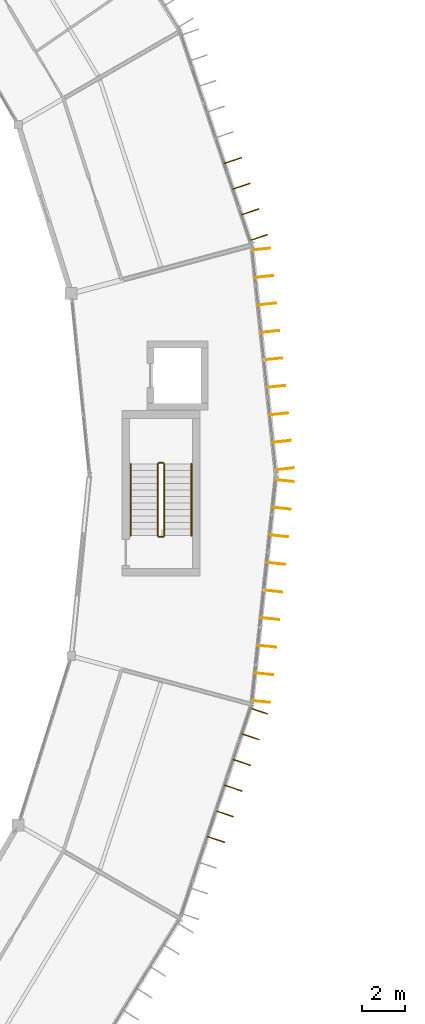
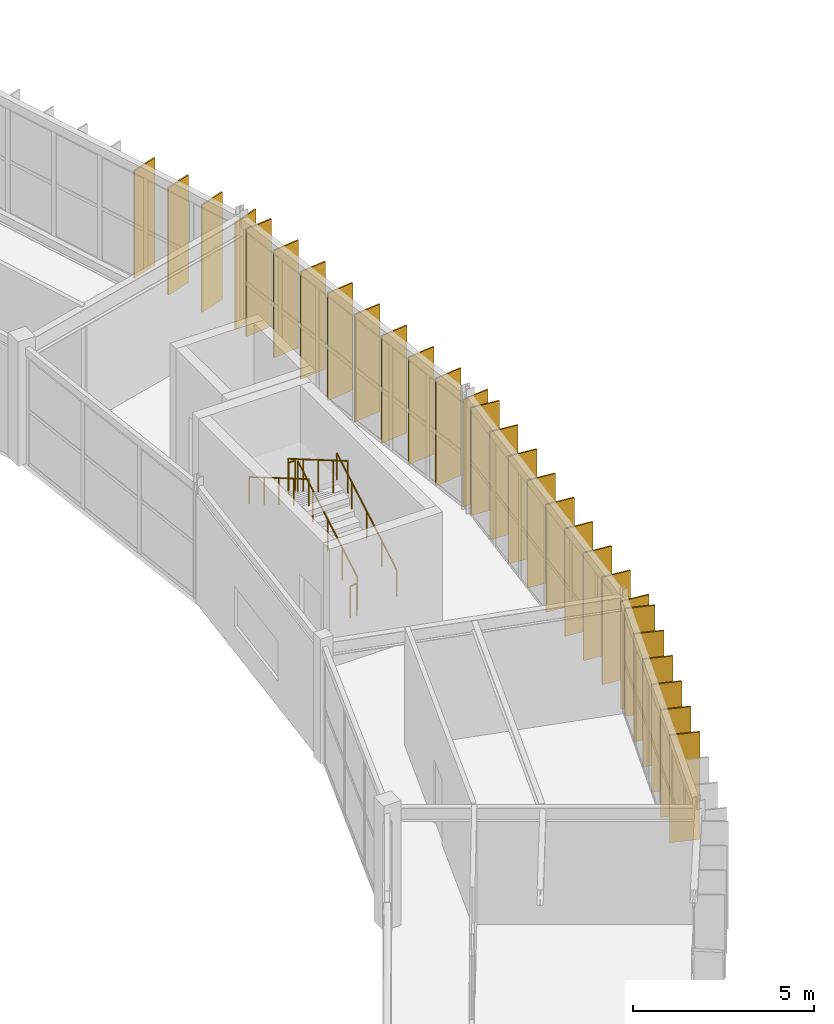
# One storey, part 125 of 130: 28 shading devices, 6 railings.
"""IFC4 building model written with IfcOpenShell, lengths in metres."""

from ifc_helpers import new_model, si_unit, direction, frame, origin, origin_2d, place, context, subcontext, project, spatial, rectangle, circle, extrude, material, layer, layer_set, type_object, element, save


model = new_model("IFC4")

# Units and contexts
model_context = context("Model", 3, precision=1e-05, world=origin(), true_north=direction((0.0, 1.0)))
body_context = subcontext(model_context, "Body", "Model", "MODEL_VIEW")
ifc_project = project(units=[si_unit("LENGTHUNIT", "METRE"), si_unit("AREAUNIT", "SQUARE_METRE"), si_unit("VOLUMEUNIT", "CUBIC_METRE"), si_unit("PLANEANGLEUNIT", "RADIAN"), si_unit("MASSUNIT", "GRAM", prefix="KILO")], contexts=[model_context])

# Site, building, storey
site_placement = place(None, origin())
site = spatial("IfcSite", under=ifc_project, at=site_placement, CompositionType="ELEMENT")
building_placement = place(site_placement, origin())
building = spatial("IfcBuilding", under=site, at=building_placement, Name="Karori Crest Natural Sciences Institute", CompositionType="ELEMENT")
storey_placement = place(building_placement, frame((0.0, 0.0, 17.5)))
storey = spatial("IfcBuildingStorey", under=building, at=storey_placement, Name="L04", CompositionType="ELEMENT", Elevation=17.5)

# Railings
ifc_material_1 = material(Name="Stainless steel 316 tubular handrail", Category="steel")
railing_type_1 = type_object("IfcRailingType", Name="RLT-HND", PredefinedType="HANDRAIL", material=ifc_material_1)
railing_1_placement = place(storey_placement, frame((95.5, 47.10009765625, 0.175048828125)))
element("IfcRailing", 1, at=railing_1_placement, inside=storey, type_object=railing_type_1, Name="Stair handrail RL-0035", PredefinedType="HANDRAIL", context=body_context, shape_type="SweptSolid", body=[
    extrude(circle(Radius=0.02392578125, at=origin_2d()), frame((0.0, 0.0, 0.90087890625), z_axis=(0.0, 0.863760357493, 0.503902812876), x_axis=(-1.0, 0.0, 0.0)), (0.0, 0.0, 1.0), 3.8203125),
    extrude(circle(Radius=0.02099609375, at=origin_2d()), origin(), (0.0, 0.0, 1.0), 0.876953125),
    extrude(circle(Radius=0.02099609375, at=origin_2d()), frame((0.0, 0.824951171875, 0.481201171875)), (0.0, 0.0, 1.0), 0.876953125),
    extrude(circle(Radius=0.02099609375, at=origin_2d()), frame((0.0, 1.64990234375, 0.96240234375)), (0.0, 0.0, 1.0), 0.876953125),
    extrude(circle(Radius=0.02099609375, at=origin_2d()), frame((0.0, 2.474853515625, 1.44384765625)), (0.0, 0.0, 1.0), 0.876953125),
    extrude(circle(Radius=0.02099609375, at=origin_2d()), frame((0.0, 3.2998046875, 1.925048828125)), (0.0, 0.0, 1.0), 0.876953125),
])
railing_2_placement = place(storey_placement, frame((92.699951171875, 50.39990234375, 2.27490234375)))
element("IfcRailing", 2, at=railing_2_placement, inside=storey, type_object=railing_type_1, Name="Stair handrail RL-0036", PredefinedType="HANDRAIL", context=body_context, shape_type="SweptSolid", body=[
    extrude(circle(Radius=0.02392578125, at=origin_2d()), frame((0.0, 0.0, 0.90087890625), z_axis=(0.0, -0.863760357493, 0.503902812876), x_axis=(1.0, 0.0, 0.0)), (0.0, 0.0, 1.0), 3.8203125),
    extrude(circle(Radius=0.02099609375, at=origin_2d()), origin(), (0.0, 0.0, 1.0), 0.876953125),
    extrude(circle(Radius=0.02099609375, at=origin_2d()), frame((0.0, -0.824951171875, 0.481201171875)), (0.0, 0.0, 1.0), 0.876953125),
    extrude(circle(Radius=0.02099609375, at=origin_2d()), frame((0.0, -1.64990234375, 0.96240234375)), (0.0, 0.0, 1.0), 0.876953125),
    extrude(circle(Radius=0.02099609375, at=origin_2d()), frame((0.0, -2.474853515625, 1.44384765625)), (0.0, 0.0, 1.0), 0.876953125),
    extrude(circle(Radius=0.02099609375, at=origin_2d()), frame((0.0, -3.2998046875, 1.925048828125)), (0.0, 0.0, 1.0), 0.876953125),
])
ifc_material_2 = material(Name="Stainless steel 316 stair guard", Category="steel")
railing_type_2 = type_object("IfcRailingType", Name="RLT-STG", PredefinedType="GUARDRAIL", material=ifc_material_2)
railing_3_placement = place(storey_placement, frame((94.25, 47.10009765625, 0.175048828125)))
element("IfcRailing", 3, at=railing_3_placement, inside=storey, type_object=railing_type_2, Name="Stair guard RL-0031", PredefinedType="GUARDRAIL", context=body_context, shape_type="SweptSolid", body=[
    extrude(circle(Radius=0.02392578125, at=origin_2d()), frame((0.0, 0.0, 1.076171875), z_axis=(0.0, 0.863760357493, 0.503902812876), x_axis=(-1.0, 0.0, 0.0)), (0.0, 0.0, 1.0), 3.8203125),
    extrude(circle(Radius=0.02099609375, at=origin_2d()), origin(), (0.0, 0.0, 1.0), 1.052001953125),
    extrude(circle(Radius=0.02099609375, at=origin_2d()), frame((0.0, 0.824951171875, 0.481201171875)), (0.0, 0.0, 1.0), 1.052001953125),
    extrude(circle(Radius=0.02099609375, at=origin_2d()), frame((0.0, 1.64990234375, 0.96240234375)), (0.0, 0.0, 1.0), 1.052001953125),
    extrude(circle(Radius=0.02099609375, at=origin_2d()), frame((0.0, 2.474853515625, 1.44384765625)), (0.0, 0.0, 1.0), 1.052001953125),
    extrude(circle(Radius=0.02099609375, at=origin_2d()), frame((0.0, 3.2998046875, 1.925048828125)), (0.0, 0.0, 1.0), 1.052001953125),
])
railing_4_placement = place(storey_placement, frame((94.199951171875, 50.449951171875, 2.10009765625)))
element("IfcRailing", 4, at=railing_4_placement, inside=storey, type_object=railing_type_2, Name="Stair guard RL-0032", PredefinedType="GUARDRAIL", context=body_context, shape_type="SweptSolid", body=[
    extrude(circle(Radius=0.02392578125, at=origin_2d()), frame((0.0, 0.0, 1.076171875), z_axis=(-1.0, 0.0, 0.0), x_axis=(0.0, -1.0, 0.0)), (0.0, 0.0, 1.0), 0.199951171875),
    extrude(circle(Radius=0.02099609375, at=origin_2d()), origin(), (0.0, 0.0, 1.0), 1.052001953125),
    extrude(circle(Radius=0.02099609375, at=origin_2d()), frame((-0.199951171875, 0.0, 0.0)), (0.0, 0.0, 1.0), 1.052001953125),
])
railing_5_placement = place(storey_placement, frame((93.949951171875, 50.39990234375, 2.27490234375)))
element("IfcRailing", 5, at=railing_5_placement, inside=storey, type_object=railing_type_2, Name="Stair guard RL-0033", PredefinedType="GUARDRAIL", context=body_context, shape_type="SweptSolid", body=[
    extrude(circle(Radius=0.02392578125, at=origin_2d()), frame((0.0, 0.0, 1.076171875), z_axis=(0.0, -0.863760357493, 0.503902812876), x_axis=(1.0, 0.0, 0.0)), (0.0, 0.0, 1.0), 3.8203125),
    extrude(circle(Radius=0.02099609375, at=origin_2d()), origin(), (0.0, 0.0, 1.0), 1.052001953125),
    extrude(circle(Radius=0.02099609375, at=origin_2d()), frame((0.0, -0.824951171875, 0.481201171875)), (0.0, 0.0, 1.0), 1.052001953125),
    extrude(circle(Radius=0.02099609375, at=origin_2d()), frame((0.0, -1.64990234375, 0.96240234375)), (0.0, 0.0, 1.0), 1.052001953125),
    extrude(circle(Radius=0.02099609375, at=origin_2d()), frame((0.0, -2.474853515625, 1.44384765625)), (0.0, 0.0, 1.0), 1.052001953125),
    extrude(circle(Radius=0.02099609375, at=origin_2d()), frame((0.0, -3.2998046875, 1.925048828125)), (0.0, 0.0, 1.0), 1.052001953125),
])
railing_6_placement = place(storey_placement, frame((94.199951171875, 47.050048828125, 0.0)))
element("IfcRailing", 6, at=railing_6_placement, inside=storey, type_object=railing_type_2, Name="Stair guard RL-0034", PredefinedType="GUARDRAIL", context=body_context, shape_type="SweptSolid", body=[
    extrude(circle(Radius=0.02392578125, at=origin_2d()), frame((0.0, 0.0, 1.076171875), z_axis=(-1.0, 0.0, 0.0), x_axis=(0.0, -1.0, 0.0)), (0.0, 0.0, 1.0), 0.199951171875),
    extrude(circle(Radius=0.02099609375, at=origin_2d()), origin(), (0.0, 0.0, 1.0), 1.052001953125),
    extrude(circle(Radius=0.02099609375, at=origin_2d()), frame((-0.199951171875, 0.0, 0.0)), (0.0, 0.0, 1.0), 1.052001953125),
])

# Shading devices
ifc_material_3 = material(Name="Anodised architectural aluminium 6063-T6", Category="aluminium")
ifc_layer = layer(ifc_material_3, 0.044921875, Name="Anodised architectural aluminium 6063-T6")
ifc_layer_set = layer_set([ifc_layer], Name="Anodised architectural aluminium 6063-T6")
shading_device_type = type_object("IfcShadingDeviceType", Name="SDT-FIN", PredefinedType="USERDEFINED", material=ifc_layer_set)
for number, where, z_axis, x_axis, name in (
    (7, (98.707275390625, 60.27880859375, 0.0), (0.0, 0.0, 1.0), (0.994378488506, 0.105884000668, 0.0), "Vertical solar fin FN-0613"),
    (8, (98.841796875, 59.015380859375, 0.0), (0.0, 0.0, 1.0), (0.994378488506, 0.105884000668, 0.0), "Vertical solar fin FN-0614"),
    (9, (98.976318359375, 57.751708984375, 0.0), (0.0, 0.0, 1.0), (0.994378488506, 0.105884000668, 0.0), "Vertical solar fin FN-0615"),
    (10, (99.11083984375, 56.48828125, 0.0), (0.0, 0.0, 1.0), (0.994378488506, 0.105884000668, 0.0), "Vertical solar fin FN-0616"),
    (11, (99.245361328125, 55.224853515625, 0.0), (0.0, 0.0, 1.0), (0.994378488506, 0.105884000668, 0.0), "Vertical solar fin FN-0617"),
    (12, (99.3798828125, 53.961181640625, 0.0), (0.0, 0.0, 1.0), (0.994378488506, 0.105884000668, 0.0), "Vertical solar fin FN-0618"),
    (13, (99.514404296875, 52.69775390625, 0.0), (0.0, 0.0, 1.0), (0.994378488506, 0.105884000668, 0.0), "Vertical solar fin FN-0619"),
    (14, (99.64892578125, 51.434326171875, 0.0), (0.0, 0.0, 1.0), (0.994378488506, 0.105884000668, 0.0), "Vertical solar fin FN-0620"),
    (15, (99.783447265625, 50.1708984375, 0.0), (0.0, 0.0, 1.0), (0.994378488506, 0.105884000668, 0.0), "Vertical solar fin FN-0621"),
    (16, (97.40380859375, 64.352294921875, 0.0), (0.0, 0.0, 1.0), (0.948197867933, 0.317680347595, 0.0), "Vertical solar fin FN-0627"),
    (17, (97.799560546875, 63.171630859375, 0.0), (0.0, 0.0, 1.0), (0.948197867933, 0.317680347595, 0.0), "Vertical solar fin FN-0628"),
    (18, (98.195068359375, 61.99072265625, 0.0), (0.0, 0.0, 1.0), (0.948197867933, 0.317680347595, 0.0), "Vertical solar fin FN-0629"),
    (19, (98.5908203125, 60.81005859375, 0.0), (0.0, 0.0, 1.0), (0.948197867933, 0.317680347595, 0.0), "Vertical solar fin FN-0630"),
    (20, (98.606201171875, 39.035888671875, 0.0), (0.0, 0.0, 1.0), (0.948197867933, -0.317680347595, 0.0), "Vertical solar fin FN-0799"),
    (21, (98.21044921875, 37.855224609375, 0.0), (0.0, 0.0, 1.0), (0.948197867933, -0.317680347595, 0.0), "Vertical solar fin FN-0800"),
    (22, (97.81494140625, 36.67431640625, 0.0), (0.0, 0.0, 1.0), (0.948197867933, -0.317680347595, 0.0), "Vertical solar fin FN-0801"),
    (23, (97.419189453125, 35.49365234375, 0.0), (0.0, 0.0, 1.0), (0.948197867933, -0.317680347595, 0.0), "Vertical solar fin FN-0802"),
    (24, (97.023681640625, 34.31298828125, 0.0), (0.0, 0.0, 1.0), (0.948197867933, -0.317680347595, 0.0), "Vertical solar fin FN-0803"),
    (25, (96.628173828125, 33.132080078125, 0.0), (0.0, 0.0, 1.0), (0.948197867933, -0.317680347595, 0.0), "Vertical solar fin FN-0804"),
    (26, (99.783447265625, 49.629150390625, 0.0), (0.0, 0.0, 1.0), (0.994378303702, -0.105885736186, 0.0), "Vertical solar fin FN-0808"),
    (27, (99.6484375, 48.35986328125, 0.0), (0.0, 0.0, 1.0), (0.994378303702, -0.105885736186, 0.0), "Vertical solar fin FN-0809"),
    (28, (99.51318359375, 47.0908203125, 0.0), (0.0, 0.0, 1.0), (0.994378303702, -0.105885736186, 0.0), "Vertical solar fin FN-0810"),
    (29, (99.3779296875, 45.821533203125, 0.0), (0.0, 0.0, 1.0), (0.994378303702, -0.105885736186, 0.0), "Vertical solar fin FN-0811"),
    (30, (99.242919921875, 44.55224609375, 0.0), (0.0, 0.0, 1.0), (0.994378303702, -0.105885736186, 0.0), "Vertical solar fin FN-0812"),
    (31, (99.107666015625, 43.282958984375, 0.0), (0.0, 0.0, 1.0), (0.994378303702, -0.105885736186, 0.0), "Vertical solar fin FN-0813"),
    (32, (98.97265625, 42.013916015625, 0.0), (0.0, 0.0, 1.0), (0.994378303702, -0.105885736186, 0.0), "Vertical solar fin FN-0814"),
    (33, (98.83740234375, 40.74462890625, 0.0), (0.0, 0.0, 1.0), (0.994378303702, -0.105885736186, 0.0), "Vertical solar fin FN-0815"),
    (34, (98.702392578125, 39.475341796875, 0.0), (0.0, 0.0, 1.0), (0.994378303702, -0.105885736186, 0.0), "Vertical solar fin FN-0816"),
):
    element("IfcShadingDevice", number, at=place(storey_placement, frame(where, z_axis=z_axis, x_axis=x_axis)), inside=storey, type_object=shading_device_type, Name=name, ObjectType="SOLAR_FIN", PredefinedType="USERDEFINED", context=body_context, shape_type="SweptSolid", body=[
        extrude(rectangle(XDim=0.85009765625, YDim=0.044921875, at=origin_2d()), origin(), (0.0, 0.0, 1.0), 3.625),
    ])

save(model, "model.ifc")
